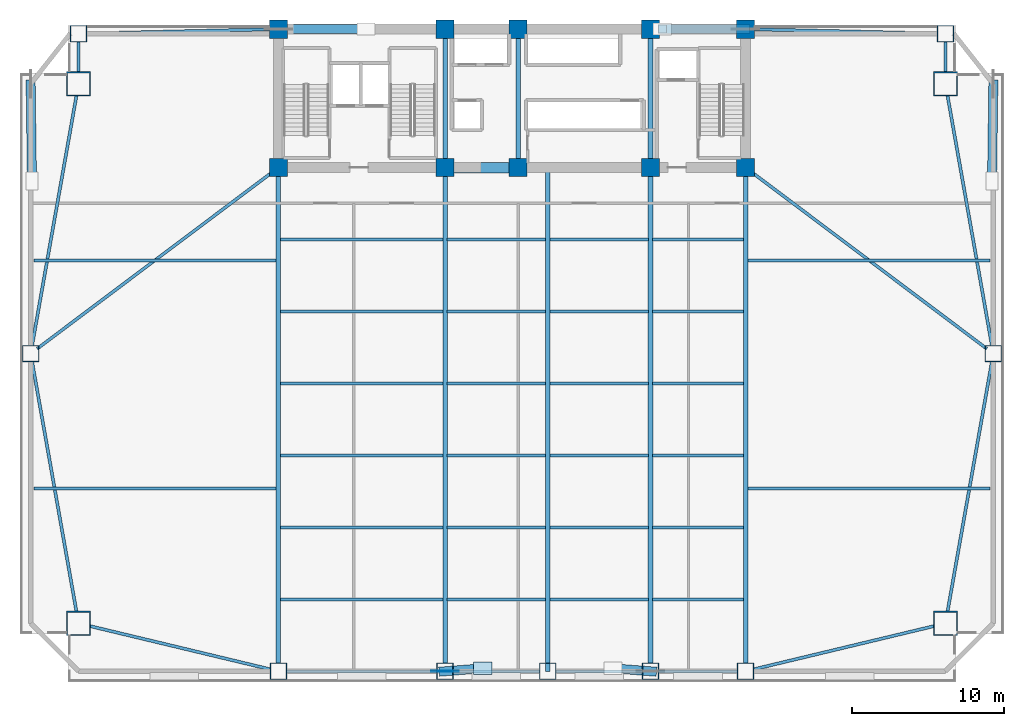
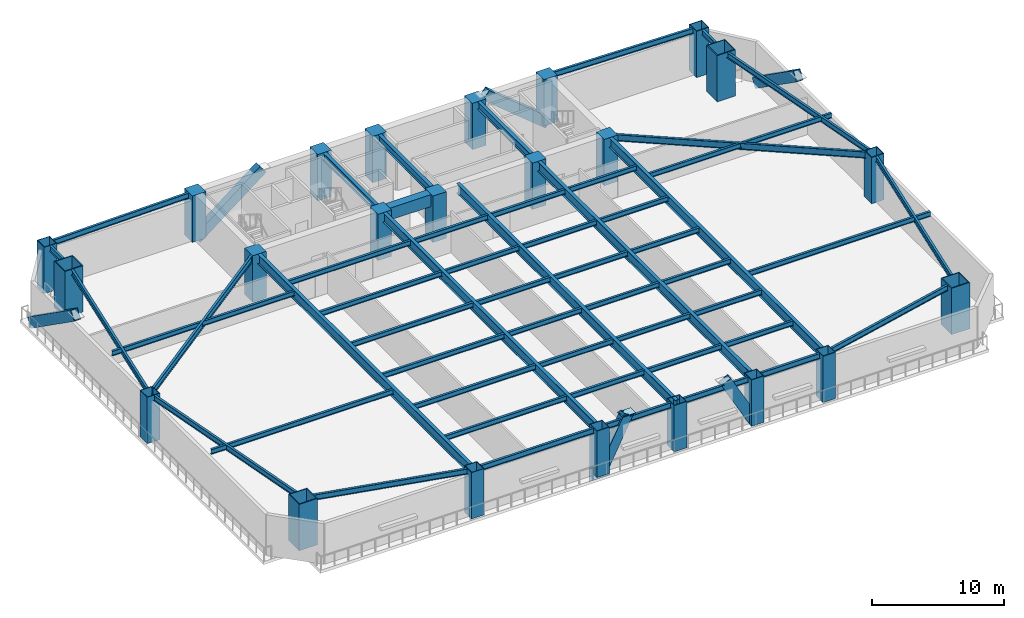
# One storey, part 1 of 9: 53 beams, 23 columns, 6 members, 2 plates.
"""IFC4 building model written with IfcOpenShell, lengths in metres."""

from ifc_helpers import new_model, si_unit, direction, frame, origin, origin_2d, place, context, subcontext, project, spatial, rectangle, hollow_rectangle, i_section, extrude, source, transform, mapped, material, material_profile, profile_set, type_object, element, save


model = new_model("IFC4")

# Units and contexts
model_context = context("Model", 3, precision=1e-05, world=origin(), true_north=direction((0.0, 1.0)))
body_context = subcontext(model_context, "Body", "Model", "MODEL_VIEW")
ifc_project = project(units=[si_unit("LENGTHUNIT", "METRE"), si_unit("AREAUNIT", "SQUARE_METRE"), si_unit("VOLUMEUNIT", "CUBIC_METRE"), si_unit("PLANEANGLEUNIT", "RADIAN"), si_unit("MASSUNIT", "GRAM", prefix="KILO")], contexts=[model_context])

# Site, building, storey
site_placement = place(None, origin())
site = spatial("IfcSite", under=ifc_project, at=site_placement, CompositionType="ELEMENT")
building_placement = place(site_placement, origin())
building = spatial("IfcBuilding", under=site, at=building_placement, Name="Giltprow Tower", CompositionType="ELEMENT")
storey_placement = place(building_placement, frame((0.0, 0.0, 48.800048828125)))
storey = spatial("IfcBuildingStorey", under=building, at=storey_placement, Name="L12", CompositionType="ELEMENT", Elevation=48.800048828125)

# Columns
ifc_material_1 = material(Name="Concrete C60", Category="concrete")
ifc_material_profile_1 = material_profile(ifc_material_1, rectangle(XDim=1.199951171875, YDim=1.199951171875, at=origin_2d()), Name="RC 1200x1200")
ifc_profile_set_1 = profile_set([ifc_material_profile_1], Name="Concrete C60")
column_type_1 = type_object("IfcColumnType", Name="PIL-RC-1200-C60", PredefinedType="PILASTER", material=ifc_profile_set_1)
shared_shape_1 = source(origin(), body_context, "Body", "SweptSolid", [
    extrude(rectangle(XDim=1.199951171875, YDim=1.199951171875, at=origin_2d()), origin(), (0.0, 0.0, 1.0), 4.280029296875),
])
for number, where, z_axis, x_axis, name in (
    (1, (19.85009765625, 37.449951171875, 0.0), (0.0, 0.0, 1.0), (1.0, 0.0, 0.0), "L12 Core Boundary Pilaster 1-1"),
    (2, (19.85009765625, 46.550048828125, 0.0), (0.0, 0.0, 1.0), (1.0, 0.0, 0.0), "L12 Core Boundary Pilaster 1-2"),
    (3, (30.800048828125, 37.449951171875, 0.0), (0.0, 0.0, 1.0), (1.0, 0.0, 0.0), "L12 Core Boundary Pilaster 2-1"),
    (4, (30.800048828125, 46.550048828125, 0.0), (0.0, 0.0, 1.0), (1.0, 0.0, 0.0), "L12 Core Boundary Pilaster 2-2"),
    (5, (35.60009765625, 37.449951171875, 0.0), (0.0, 0.0, 1.0), (1.0, 0.0, 0.0), "L12 Core Boundary Pilaster 3-1"),
    (6, (35.60009765625, 46.550048828125, 0.0), (0.0, 0.0, 1.0), (1.0, 0.0, 0.0), "L12 Core Boundary Pilaster 3-2"),
    (7, (44.300048828125, 37.449951171875, 0.0), (0.0, 0.0, 1.0), (1.0, 0.0, 0.0), "L12 Core Boundary Pilaster 4-1"),
    (8, (44.300048828125, 46.550048828125, 0.0), (0.0, 0.0, 1.0), (1.0, 0.0, 0.0), "L12 Core Boundary Pilaster 4-2"),
    (9, (50.550048828125, 37.449951171875, 0.0), (0.0, 0.0, 1.0), (1.0, 0.0, 0.0), "L12 Core Boundary Pilaster 5-1"),
    (10, (50.550048828125, 46.550048828125, 0.0), (0.0, 0.0, 1.0), (1.0, 0.0, 0.0), "L12 Core Boundary Pilaster 5-2"),
):
    element("IfcColumn", number, at=place(storey_placement, frame(where, z_axis=z_axis, x_axis=x_axis)), inside=storey, type_object=column_type_1, Name=name, PredefinedType="PILASTER", context=body_context, shape_type="MappedRepresentation", body=[
        mapped(shared_shape_1, transform((0.0, 0.0, 0.0), x_axis=(1.0, 0.0, 0.0), y_axis=(0.0, 1.0, 0.0), z_axis=(0.0, 0.0, 1.0), scale=1.0)),
    ])
ifc_material_2 = material(Name="Structural steel Q420GJC", Category="steel")
ifc_material_profile_2 = material_profile(ifc_material_2, hollow_rectangle(XDim=1.60009765625, YDim=1.60009765625, WallThickness=0.074951171875, at=origin_2d()), Name="BOX 1600x1600x75")
ifc_profile_set_2 = profile_set([ifc_material_profile_2], Name="Structural steel Q420GJC")
column_type_2 = type_object("IfcColumnType", Name="COL-BOX-1600x1600x75", PredefinedType="COLUMN", material=ifc_profile_set_2)
shared_shape_2 = source(origin(), body_context, "Body", "SweptSolid", [
    extrude(hollow_rectangle(XDim=1.60009765625, YDim=1.60009765625, WallThickness=0.074951171875, at=origin_2d()), origin(), (0.0, 0.0, 1.0), 4.280029296875),
])
for number, where, z_axis, x_axis, name in (
    (11, (6.718017578125, 7.501953125, 0.0), (0.0, 0.0, 1.0), (1.0, 0.0, 0.0), "L12 Mega-Column MC_SW"),
    (12, (63.681884765625, 7.501953125, 0.0), (0.0, 0.0, 1.0), (1.0, 0.0, 0.0), "L12 Mega-Column MC_SE"),
    (13, (6.718017578125, 42.951904296875, 0.0), (0.0, 0.0, 1.0), (1.0, 0.0, 0.0), "L12 Mega-Column MC_NW"),
    (14, (63.681884765625, 42.951904296875, 0.0), (0.0, 0.0, 1.0), (1.0, 0.0, 0.0), "L12 Mega-Column MC_NE"),
):
    element("IfcColumn", number, at=place(storey_placement, frame(where, z_axis=z_axis, x_axis=x_axis)), inside=storey, type_object=column_type_2, Name=name, PredefinedType="COLUMN", context=body_context, shape_type="MappedRepresentation", body=[
        mapped(shared_shape_2, transform((0.0, 0.0, 0.0), x_axis=(1.0, 0.0, 0.0), y_axis=(0.0, 1.0, 0.0), z_axis=(0.0, 0.0, 1.0), scale=1.0)),
    ])
ifc_material_profile_3 = material_profile(ifc_material_2, hollow_rectangle(XDim=1.10009765625, YDim=1.10009765625, WallThickness=0.050048828125, at=origin_2d()), Name="BOX 1100x1100x50")
ifc_profile_set_3 = profile_set([ifc_material_profile_3], Name="Structural steel Q420GJC")
column_type_3 = type_object("IfcColumnType", Name="COL-BOX-1100x1100x50", PredefinedType="COLUMN", material=ifc_profile_set_3)
shared_shape_3 = source(origin(), body_context, "Body", "SweptSolid", [
    extrude(hollow_rectangle(XDim=1.10009765625, YDim=1.10009765625, WallThickness=0.050048828125, at=origin_2d()), origin(), (0.0, 0.0, 1.0), 4.280029296875),
])
for number, where, z_axis, x_axis, name in (
    (15, (19.85009765625, 4.35400390625, 0.0), (0.0, 0.0, 1.0), (1.0, 0.0, 0.0), "L12 Perimeter Column S1"),
    (16, (30.800048828125, 4.35400390625, 0.0), (0.0, 0.0, 1.0), (1.0, 0.0, 0.0), "L12 Perimeter Column S2"),
    (17, (37.550048828125, 4.35400390625, 0.0), (0.0, 0.0, 1.0), (1.0, 0.0, 0.0), "L12 Perimeter Column S_MID"),
    (18, (44.300048828125, 4.35400390625, 0.0), (0.0, 0.0, 1.0), (1.0, 0.0, 0.0), "L12 Perimeter Column S3"),
    (19, (50.550048828125, 4.35400390625, 0.0), (0.0, 0.0, 1.0), (1.0, 0.0, 0.0), "L12 Perimeter Column S4"),
    (20, (3.570068359375, 25.22705078125, 0.0), (0.0, 0.0, 1.0), (1.0, 0.0, 0.0), "L12 Perimeter Column W_MID"),
    (21, (66.830078125, 25.22705078125, 0.0), (0.0, 0.0, 1.0), (1.0, 0.0, 0.0), "L12 Perimeter Column E_MID"),
    (22, (6.718017578125, 46.25, 0.0), (0.0, 0.0, 1.0), (1.0, 0.0, 0.0), "L12 Perimeter Column N_W"),
    (23, (63.681884765625, 46.25, 0.0), (0.0, 0.0, 1.0), (1.0, 0.0, 0.0), "L12 Perimeter Column N_E"),
):
    element("IfcColumn", number, at=place(storey_placement, frame(where, z_axis=z_axis, x_axis=x_axis)), inside=storey, type_object=column_type_3, Name=name, PredefinedType="COLUMN", context=body_context, shape_type="MappedRepresentation", body=[
        mapped(shared_shape_3, transform((0.0, 0.0, 0.0), x_axis=(1.0, 0.0, 0.0), y_axis=(0.0, 1.0, 0.0), z_axis=(0.0, 0.0, 1.0), scale=1.0)),
    ])

# Beams
ifc_material_profile_4 = material_profile(ifc_material_1, rectangle(XDim=0.699951171875, YDim=1.10009765625, at=origin_2d()), Name="RC 1100x700")
ifc_profile_set_4 = profile_set([ifc_material_profile_4], Name="Concrete C60")
beam_type_1 = type_object("IfcBeamType", Name="BM-CPL-RC1100", PredefinedType="LINTEL", material=ifc_profile_set_4)
shared_shape_4 = source(origin(), body_context, "Body", "SweptSolid", [
    extrude(rectangle(XDim=0.699951171875, YDim=1.10009765625, at=origin_2d()), origin(), (0.0, 0.0, 1.0), 3.6298828125),
])
beam_1_placement = place(storey_placement, frame((31.385009765625, 37.449951171875, 3.72998046875), z_axis=(1.0, 0.0, 0.0), x_axis=(0.0, 1.0, 0.0)))
element("IfcBeam", 24, at=beam_1_placement, inside=storey, type_object=beam_type_1, Name="L12 Core Coupling Beam CB-1", PredefinedType="LINTEL", context=body_context, shape_type="MappedRepresentation", body=[
    mapped(shared_shape_4, transform((0.0, 0.0, 0.0), x_axis=(1.0, 0.0, 0.0), y_axis=(0.0, 1.0, 0.0), z_axis=(0.0, 0.0, 1.0), scale=1.0)),
])
ifc_material_3 = material(Name="Structural steel Q355B", Category="steel")
ifc_material_profile_5 = material_profile(ifc_material_3, i_section(OverallWidth=0.300048828125, OverallDepth=0.699951171875, WebThickness=0.012939453125, FlangeThickness=0.02392578125, at=origin_2d()), Name="HN 700x300x13x24")
ifc_profile_set_5 = profile_set([ifc_material_profile_5], Name="Structural steel Q355B")
beam_type_2 = type_object("IfcBeamType", Name="BM-GIRD-HN700", PredefinedType="BEAM", material=ifc_profile_set_5)
shared_shape_5 = source(origin(), body_context, "Body", "SweptSolid", [
    extrude(i_section(OverallWidth=0.300048828125, OverallDepth=0.699951171875, WebThickness=0.012939453125, FlangeThickness=0.02392578125, at=origin_2d()), origin(), (0.0, 0.0, 1.0), 7.93017578125),
])
for number, where, z_axis, x_axis, name in (
    (25, (30.800048828125, 38.034912109375, 3.929931640625), (0.0, 1.0, 0.0), (-1.0, 0.0, 0.0), "L12 Core Tie Girder M1"),
    (26, (35.60009765625, 38.034912109375, 3.929931640625), (0.0, 1.0, 0.0), (-1.0, 0.0, 0.0), "L12 Core Tie Girder M2"),
    (27, (44.300048828125, 38.034912109375, 3.929931640625), (0.0, 1.0, 0.0), (-1.0, 0.0, 0.0), "L12 Core Tie Girder M3"),
):
    element("IfcBeam", number, at=place(storey_placement, frame(where, z_axis=z_axis, x_axis=x_axis)), inside=storey, type_object=beam_type_2, Name=name, PredefinedType="BEAM", context=body_context, shape_type="MappedRepresentation", body=[
        mapped(shared_shape_5, transform((0.0, 0.0, 0.0), x_axis=(1.0, 0.0, 0.0), y_axis=(0.0, 1.0, 0.0), z_axis=(0.0, 0.0, 1.0), scale=1.0)),
    ])
ifc_material_profile_6 = material_profile(ifc_material_3, i_section(OverallWidth=0.199951171875, OverallDepth=0.5, WebThickness=0.010009765625, FlangeThickness=0.01611328125, at=origin_2d()), Name="HN 500x200x10x16")
ifc_profile_set_6 = profile_set([ifc_material_profile_6], Name="Structural steel Q355B")
beam_type_3 = type_object("IfcBeamType", Name="BM-SPAN-HN500", PredefinedType="SPANDREL", material=ifc_profile_set_6)
shared_shape_6 = source(origin(), body_context, "Body", "SweptSolid", [
    extrude(i_section(OverallWidth=0.199951171875, OverallDepth=0.5, WebThickness=0.010009765625, FlangeThickness=0.01611328125, at=origin_2d()), origin(), (0.0, 0.0, 1.0), 9.8798828125),
])
beam_2_placement = place(storey_placement, frame((20.385009765625, 4.35400390625, 4.030029296875), z_axis=(1.0, 0.0, 0.0), x_axis=(0.0, 1.0, 0.0)))
element("IfcBeam", 28, at=beam_2_placement, inside=storey, type_object=beam_type_3, Name="L12 Perimeter Spandrel Beam S1-S2", PredefinedType="SPANDREL", context=body_context, shape_type="MappedRepresentation", body=[
    mapped(shared_shape_6, transform((0.0, 0.0, 0.0), x_axis=(1.0, 0.0, 0.0), y_axis=(0.0, 1.0, 0.0), z_axis=(0.0, 0.0, 1.0), scale=1.0)),
])
shared_shape_7 = source(origin(), body_context, "Body", "SweptSolid", [
    extrude(i_section(OverallWidth=0.199951171875, OverallDepth=0.5, WebThickness=0.010009765625, FlangeThickness=0.01611328125, at=origin_2d()), origin(), (0.0, 0.0, 1.0), 5.679931640625),
])
for number, where, z_axis, x_axis, name in (
    (29, (31.3349609375, 4.35400390625, 4.030029296875), (1.0, 0.0, 0.0), (0.0, 1.0, 0.0), "L12 Perimeter Spandrel Beam S2-S_MID"),
    (30, (38.0849609375, 4.35400390625, 4.030029296875), (1.0, 0.0, 0.0), (0.0, 1.0, 0.0), "L12 Perimeter Spandrel Beam S_MID-S3"),
):
    element("IfcBeam", number, at=place(storey_placement, frame(where, z_axis=z_axis, x_axis=x_axis)), inside=storey, type_object=beam_type_3, Name=name, PredefinedType="SPANDREL", context=body_context, shape_type="MappedRepresentation", body=[
        mapped(shared_shape_7, transform((0.0, 0.0, 0.0), x_axis=(1.0, 0.0, 0.0), y_axis=(0.0, 1.0, 0.0), z_axis=(0.0, 0.0, 1.0), scale=1.0)),
    ])
shared_shape_8 = source(origin(), body_context, "Body", "SweptSolid", [
    extrude(i_section(OverallWidth=0.199951171875, OverallDepth=0.5, WebThickness=0.010009765625, FlangeThickness=0.01611328125, at=origin_2d()), origin(), (0.0, 0.0, 1.0), 5.179931640625),
])
beam_3_placement = place(storey_placement, frame((44.8349609375, 4.35400390625, 4.030029296875), z_axis=(1.0, 0.0, 0.0), x_axis=(0.0, 1.0, 0.0)))
element("IfcBeam", 31, at=beam_3_placement, inside=storey, type_object=beam_type_3, Name="L12 Perimeter Spandrel Beam S3-S4", PredefinedType="SPANDREL", context=body_context, shape_type="MappedRepresentation", body=[
    mapped(shared_shape_8, transform((0.0, 0.0, 0.0), x_axis=(1.0, 0.0, 0.0), y_axis=(0.0, 1.0, 0.0), z_axis=(0.0, 0.0, 1.0), scale=1.0)),
])
ifc_material_profile_7 = material_profile(ifc_material_3, i_section(OverallWidth=0.199951171875, OverallDepth=0.449951171875, WebThickness=0.009033203125, FlangeThickness=0.013916015625, at=origin_2d()), Name="HN 450x200x9x14")
ifc_profile_set_7 = profile_set([ifc_material_profile_7], Name="Structural steel Q355B")
beam_type_4 = type_object("IfcBeamType", Name="BM-JOIST-HN450", PredefinedType="JOIST", material=ifc_profile_set_7)
shared_shape_9 = source(origin(), body_context, "Body", "SweptSolid", [
    extrude(i_section(OverallWidth=0.199951171875, OverallDepth=0.449951171875, WebThickness=0.009033203125, FlangeThickness=0.013916015625, at=origin_2d()), origin(), (0.0, 0.0, 1.0), 10.659912109375),
])
for number, where, z_axis, x_axis, name in (
    (32, (19.9951171875, 9.08203125, 4.054931640625), (1.0, 0.0, 0.0), (0.0, 1.0, 0.0), "L12 Composite Floor Joist 1-1"),
    (33, (19.9951171875, 13.81005859375, 4.054931640625), (1.0, 0.0, 0.0), (0.0, 1.0, 0.0), "L12 Composite Floor Joist 2-1"),
    (34, (19.9951171875, 18.5380859375, 4.054931640625), (1.0, 0.0, 0.0), (0.0, 1.0, 0.0), "L12 Composite Floor Joist 3-1"),
    (35, (19.9951171875, 23.26611328125, 4.054931640625), (1.0, 0.0, 0.0), (0.0, 1.0, 0.0), "L12 Composite Floor Joist 4-1"),
    (36, (19.9951171875, 27.993896484375, 4.054931640625), (1.0, 0.0, 0.0), (0.0, 1.0, 0.0), "L12 Composite Floor Joist 5-1"),
    (37, (19.9951171875, 32.721923828125, 4.054931640625), (1.0, 0.0, 0.0), (0.0, 1.0, 0.0), "L12 Composite Floor Joist 6-1"),
):
    element("IfcBeam", number, at=place(storey_placement, frame(where, z_axis=z_axis, x_axis=x_axis)), inside=storey, type_object=beam_type_4, Name=name, PredefinedType="JOIST", context=body_context, shape_type="MappedRepresentation", body=[
        mapped(shared_shape_9, transform((0.0, 0.0, 0.0), x_axis=(1.0, 0.0, 0.0), y_axis=(0.0, 1.0, 0.0), z_axis=(0.0, 0.0, 1.0), scale=1.0)),
    ])
shared_shape_10 = source(origin(), body_context, "Body", "SweptSolid", [
    extrude(i_section(OverallWidth=0.199951171875, OverallDepth=0.449951171875, WebThickness=0.009033203125, FlangeThickness=0.013916015625, at=origin_2d()), origin(), (0.0, 0.0, 1.0), 6.4599609375),
])
for number, where, z_axis, x_axis, name in (
    (38, (30.945068359375, 9.08203125, 4.054931640625), (1.0, 0.0, 0.0), (0.0, 1.0, 0.0), "L12 Composite Floor Joist 1-2"),
    (39, (37.695068359375, 9.08203125, 4.054931640625), (1.0, 0.0, 0.0), (0.0, 1.0, 0.0), "L12 Composite Floor Joist 1-3"),
    (40, (30.945068359375, 13.81005859375, 4.054931640625), (1.0, 0.0, 0.0), (0.0, 1.0, 0.0), "L12 Composite Floor Joist 2-2"),
    (41, (37.695068359375, 13.81005859375, 4.054931640625), (1.0, 0.0, 0.0), (0.0, 1.0, 0.0), "L12 Composite Floor Joist 2-3"),
    (42, (30.945068359375, 18.5380859375, 4.054931640625), (1.0, 0.0, 0.0), (0.0, 1.0, 0.0), "L12 Composite Floor Joist 3-2"),
    (43, (37.695068359375, 18.5380859375, 4.054931640625), (1.0, 0.0, 0.0), (0.0, 1.0, 0.0), "L12 Composite Floor Joist 3-3"),
    (44, (30.945068359375, 23.26611328125, 4.054931640625), (1.0, 0.0, 0.0), (0.0, 1.0, 0.0), "L12 Composite Floor Joist 4-2"),
    (45, (37.695068359375, 23.26611328125, 4.054931640625), (1.0, 0.0, 0.0), (0.0, 1.0, 0.0), "L12 Composite Floor Joist 4-3"),
    (46, (30.945068359375, 27.993896484375, 4.054931640625), (1.0, 0.0, 0.0), (0.0, 1.0, 0.0), "L12 Composite Floor Joist 5-2"),
    (47, (37.695068359375, 27.993896484375, 4.054931640625), (1.0, 0.0, 0.0), (0.0, 1.0, 0.0), "L12 Composite Floor Joist 5-3"),
    (48, (30.945068359375, 32.721923828125, 4.054931640625), (1.0, 0.0, 0.0), (0.0, 1.0, 0.0), "L12 Composite Floor Joist 6-2"),
    (49, (37.695068359375, 32.721923828125, 4.054931640625), (1.0, 0.0, 0.0), (0.0, 1.0, 0.0), "L12 Composite Floor Joist 6-3"),
):
    element("IfcBeam", number, at=place(storey_placement, frame(where, z_axis=z_axis, x_axis=x_axis)), inside=storey, type_object=beam_type_4, Name=name, PredefinedType="JOIST", context=body_context, shape_type="MappedRepresentation", body=[
        mapped(shared_shape_10, transform((0.0, 0.0, 0.0), x_axis=(1.0, 0.0, 0.0), y_axis=(0.0, 1.0, 0.0), z_axis=(0.0, 0.0, 1.0), scale=1.0)),
    ])
shared_shape_11 = source(origin(), body_context, "Body", "SweptSolid", [
    extrude(i_section(OverallWidth=0.199951171875, OverallDepth=0.449951171875, WebThickness=0.009033203125, FlangeThickness=0.013916015625, at=origin_2d()), origin(), (0.0, 0.0, 1.0), 5.9599609375),
])
for number, where, z_axis, x_axis, name in (
    (50, (44.445068359375, 9.08203125, 4.054931640625), (1.0, 0.0, 0.0), (0.0, 1.0, 0.0), "L12 Composite Floor Joist 1-4"),
    (51, (44.445068359375, 13.81005859375, 4.054931640625), (1.0, 0.0, 0.0), (0.0, 1.0, 0.0), "L12 Composite Floor Joist 2-4"),
    (52, (44.445068359375, 18.5380859375, 4.054931640625), (1.0, 0.0, 0.0), (0.0, 1.0, 0.0), "L12 Composite Floor Joist 3-4"),
    (53, (44.445068359375, 23.26611328125, 4.054931640625), (1.0, 0.0, 0.0), (0.0, 1.0, 0.0), "L12 Composite Floor Joist 4-4"),
    (54, (44.445068359375, 27.993896484375, 4.054931640625), (1.0, 0.0, 0.0), (0.0, 1.0, 0.0), "L12 Composite Floor Joist 5-4"),
    (55, (44.445068359375, 32.721923828125, 4.054931640625), (1.0, 0.0, 0.0), (0.0, 1.0, 0.0), "L12 Composite Floor Joist 6-4"),
):
    element("IfcBeam", number, at=place(storey_placement, frame(where, z_axis=z_axis, x_axis=x_axis)), inside=storey, type_object=beam_type_4, Name=name, PredefinedType="JOIST", context=body_context, shape_type="MappedRepresentation", body=[
        mapped(shared_shape_11, transform((0.0, 0.0, 0.0), x_axis=(1.0, 0.0, 0.0), y_axis=(0.0, 1.0, 0.0), z_axis=(0.0, 0.0, 1.0), scale=1.0)),
    ])
shared_shape_12 = source(origin(), body_context, "Body", "SweptSolid", [
    extrude(i_section(OverallWidth=0.199951171875, OverallDepth=0.5, WebThickness=0.010009765625, FlangeThickness=0.01611328125, at=origin_2d()), origin(), (0.0, 0.0, 1.0), 12.184814453125),
])
beam_4_placement = place(storey_placement, frame((7.48095703125, 7.319091796875, 4.030029296875), z_axis=(0.972456190307, -0.233085730866, 0.0), x_axis=(0.233085730866, 0.972456190307, 0.0)))
element("IfcBeam", 56, at=beam_4_placement, inside=storey, type_object=beam_type_3, Name="L12 Perimeter Spandrel Beam MC_SW-S1", PredefinedType="SPANDREL", context=body_context, shape_type="MappedRepresentation", body=[
    mapped(shared_shape_12, transform((0.0, 0.0, 0.0), x_axis=(1.0, 0.0, 0.0), y_axis=(0.0, 1.0, 0.0), z_axis=(0.0, 0.0, 1.0), scale=1.0)),
])
shared_shape_13 = source(origin(), body_context, "Body", "SweptSolid", [
    extrude(i_section(OverallWidth=0.199951171875, OverallDepth=0.5, WebThickness=0.010009765625, FlangeThickness=0.01611328125, at=origin_2d()), origin(), (0.0, 0.0, 1.0), 12.1845703125),
])
beam_5_placement = place(storey_placement, frame((51.070068359375, 4.47900390625, 4.030029296875), z_axis=(0.972455101708, 0.23309027256, 0.0), x_axis=(-0.23309027256, 0.972455101708, 0.0)))
element("IfcBeam", 57, at=beam_5_placement, inside=storey, type_object=beam_type_3, Name="L12 Perimeter Spandrel Beam S4-MC_SE", PredefinedType="SPANDREL", context=body_context, shape_type="MappedRepresentation", body=[
    mapped(shared_shape_13, transform((0.0, 0.0, 0.0), x_axis=(1.0, 0.0, 0.0), y_axis=(0.0, 1.0, 0.0), z_axis=(0.0, 0.0, 1.0), scale=1.0)),
])
shared_shape_14 = source(origin(), body_context, "Body", "SweptSolid", [
    extrude(i_section(OverallWidth=0.199951171875, OverallDepth=0.5, WebThickness=0.010009765625, FlangeThickness=0.01611328125, at=origin_2d()), origin(), (0.0, 0.0, 1.0), 16.68212890625),
])
for number, where, z_axis, x_axis, name in (
    (58, (63.819091796875, 8.27490234375, 4.030029296875), (0.174858049152, 0.984593653568, 0.0), (-0.984593653568, 0.174858049152, 0.0), "L12 Perimeter Spandrel Beam MC_SE-E_MID"),
    (59, (66.736083984375, 25.75390625, 4.030029296875), (-0.174858049152, 0.984593653568, 0.0), (-0.984593653568, -0.174858049152, 0.0), "L12 Perimeter Spandrel Beam E_MID-MC_NE"),
    (60, (6.5810546875, 42.178955078125, 4.030029296875), (-0.174858049152, -0.984593653568, 0.0), (0.984593653568, -0.174858049152, 0.0), "L12 Perimeter Spandrel Beam MC_NW-W_MID"),
    (61, (3.6640625, 24.699951171875, 4.030029296875), (0.174858049152, -0.984593653568, 0.0), (0.984593653568, 0.174858049152, 0.0), "L12 Perimeter Spandrel Beam W_MID-MC_SW"),
):
    element("IfcBeam", number, at=place(storey_placement, frame(where, z_axis=z_axis, x_axis=x_axis)), inside=storey, type_object=beam_type_3, Name=name, PredefinedType="SPANDREL", context=body_context, shape_type="MappedRepresentation", body=[
        mapped(shared_shape_14, transform((0.0, 0.0, 0.0), x_axis=(1.0, 0.0, 0.0), y_axis=(0.0, 1.0, 0.0), z_axis=(0.0, 0.0, 1.0), scale=1.0)),
    ])
shared_shape_15 = source(origin(), body_context, "Body", "SweptSolid", [
    extrude(i_section(OverallWidth=0.199951171875, OverallDepth=0.5, WebThickness=0.010009765625, FlangeThickness=0.01611328125, at=origin_2d()), origin(), (0.0, 0.0, 1.0), 1.97802734375),
])
for number, where, z_axis, x_axis, name in (
    (62, (63.681884765625, 43.737060546875, 4.030029296875), (0.0, 1.0, 0.0), (-1.0, 0.0, 0.0), "L12 Perimeter Spandrel Beam MC_NE-N_E"),
    (63, (6.718017578125, 45.715087890625, 4.030029296875), (0.0, -1.0, 0.0), (1.0, 0.0, 0.0), "L12 Perimeter Spandrel Beam N_W-MC_NW"),
):
    element("IfcBeam", number, at=place(storey_placement, frame(where, z_axis=z_axis, x_axis=x_axis)), inside=storey, type_object=beam_type_3, Name=name, PredefinedType="SPANDREL", context=body_context, shape_type="MappedRepresentation", body=[
        mapped(shared_shape_15, transform((0.0, 0.0, 0.0), x_axis=(1.0, 0.0, 0.0), y_axis=(0.0, 1.0, 0.0), z_axis=(0.0, 0.0, 1.0), scale=1.0)),
    ])
shared_shape_16 = source(origin(), body_context, "Body", "SweptSolid", [
    extrude(i_section(OverallWidth=0.199951171875, OverallDepth=0.5, WebThickness=0.010009765625, FlangeThickness=0.01611328125, at=origin_2d()), origin(), (0.0, 0.0, 1.0), 12.01513671875),
])
for number, where, z_axis, x_axis, name in (
    (64, (7.2529296875, 46.261962890625, 4.030029296875), (0.999737759891, 0.022900031613, 0.0), (-0.022900031613, 0.999737759891, 0.0), "L12 North Wing Spandrel W"),
    (65, (51.135009765625, 46.537109375, 4.030029296875), (0.999737759891, -0.022900031613, 0.0), (0.022900031613, 0.999737759891, 0.0), "L12 North Wing Spandrel E"),
):
    element("IfcBeam", number, at=place(storey_placement, frame(where, z_axis=z_axis, x_axis=x_axis)), inside=storey, type_object=beam_type_3, Name=name, PredefinedType="SPANDREL", context=body_context, shape_type="MappedRepresentation", body=[
        mapped(shared_shape_16, transform((0.0, 0.0, 0.0), x_axis=(1.0, 0.0, 0.0), y_axis=(0.0, 1.0, 0.0), z_axis=(0.0, 0.0, 1.0), scale=1.0)),
    ])
ifc_material_profile_8 = material_profile(ifc_material_3, i_section(OverallWidth=0.300048828125, OverallDepth=0.89990234375, WebThickness=0.01611328125, FlangeThickness=0.028076171875, at=origin_2d()), Name="HN 900x300x16x28")
ifc_profile_set_8 = profile_set([ifc_material_profile_8], Name="Structural steel Q355B")
beam_type_5 = type_object("IfcBeamType", Name="BM-GIRD-HN900", PredefinedType="BEAM", material=ifc_profile_set_8)
shared_shape_17 = source(origin(), body_context, "Body", "SweptSolid", [
    extrude(i_section(OverallWidth=0.300048828125, OverallDepth=0.89990234375, WebThickness=0.01611328125, FlangeThickness=0.028076171875, at=origin_2d()), origin(), (0.0, 0.0, 1.0), 31.97607421875),
])
for number, where, z_axis, x_axis, name in (
    (66, (19.85009765625, 4.888916015625, 3.829833984375), (0.0, 1.0, 0.0), (-1.0, 0.0, 0.0), "L12 Primary Lease Girder S1"),
    (67, (30.800048828125, 4.888916015625, 3.829833984375), (0.0, 1.0, 0.0), (-1.0, 0.0, 0.0), "L12 Primary Lease Girder S2"),
    (68, (44.300048828125, 4.888916015625, 3.829833984375), (0.0, 1.0, 0.0), (-1.0, 0.0, 0.0), "L12 Primary Lease Girder S3"),
    (69, (50.550048828125, 4.888916015625, 3.829833984375), (0.0, 1.0, 0.0), (-1.0, 0.0, 0.0), "L12 Primary Lease Girder S4"),
):
    element("IfcBeam", number, at=place(storey_placement, frame(where, z_axis=z_axis, x_axis=x_axis)), inside=storey, type_object=beam_type_5, Name=name, PredefinedType="BEAM", context=body_context, shape_type="MappedRepresentation", body=[
        mapped(shared_shape_17, transform((0.0, 0.0, 0.0), x_axis=(1.0, 0.0, 0.0), y_axis=(0.0, 1.0, 0.0), z_axis=(0.0, 0.0, 1.0), scale=1.0)),
    ])
shared_shape_18 = source(origin(), body_context, "Body", "SweptSolid", [
    extrude(i_section(OverallWidth=0.300048828125, OverallDepth=0.89990234375, WebThickness=0.01611328125, FlangeThickness=0.028076171875, at=origin_2d()), origin(), (0.0, 0.0, 1.0), 33.095947265625),
])
beam_6_placement = place(storey_placement, frame((37.550048828125, 4.35400390625, 3.829833984375), z_axis=(0.0, 1.0, 0.0), x_axis=(-1.0, 0.0, 0.0)))
element("IfcBeam", 70, at=beam_6_placement, inside=storey, type_object=beam_type_5, Name="L12 Central Lease Girder SMID", PredefinedType="BEAM", context=body_context, shape_type="MappedRepresentation", body=[
    mapped(shared_shape_18, transform((0.0, 0.0, 0.0), x_axis=(1.0, 0.0, 0.0), y_axis=(0.0, 1.0, 0.0), z_axis=(0.0, 0.0, 1.0), scale=1.0)),
])
ifc_material_profile_9 = material_profile(ifc_material_3, i_section(OverallWidth=0.199951171875, OverallDepth=0.60009765625, WebThickness=0.010986328125, FlangeThickness=0.01708984375, at=origin_2d()), Name="HN 600x200x11x17")
ifc_profile_set_9 = profile_set([ifc_material_profile_9], Name="Structural steel Q355B")
beam_type_6 = type_object("IfcBeamType", Name="BM-GIRD-HN600", PredefinedType="BEAM", material=ifc_profile_set_9)
shared_shape_19 = source(origin(), body_context, "Body", "SweptSolid", [
    extrude(i_section(OverallWidth=0.199951171875, OverallDepth=0.60009765625, WebThickness=0.010986328125, FlangeThickness=0.01708984375, at=origin_2d()), origin(), (0.0, 0.0, 1.0), 19.23779296875),
])
for number, where, z_axis, x_axis, name in (
    (71, (3.998046875, 25.548095703125, 3.97998046875), (0.799675510247, 0.600432409444, 0.0), (-0.600432409444, 0.799675510247, 0.0), "L12 West Wing Primary Girder"),
    (72, (66.402099609375, 25.548095703125, 3.97998046875), (-0.799675510247, 0.600432409444, 0.0), (-0.600432409444, -0.799675510247, 0.0), "L12 East Wing Primary Girder"),
):
    element("IfcBeam", number, at=place(storey_placement, frame(where, z_axis=z_axis, x_axis=x_axis)), inside=storey, type_object=beam_type_6, Name=name, PredefinedType="BEAM", context=body_context, shape_type="MappedRepresentation", body=[
        mapped(shared_shape_19, transform((0.0, 0.0, 0.0), x_axis=(1.0, 0.0, 0.0), y_axis=(0.0, 1.0, 0.0), z_axis=(0.0, 0.0, 1.0), scale=1.0)),
    ])
shared_shape_20 = source(origin(), body_context, "Body", "SweptSolid", [
    extrude(i_section(OverallWidth=0.199951171875, OverallDepth=0.449951171875, WebThickness=0.009033203125, FlangeThickness=0.013916015625, at=origin_2d()), origin(), (0.0, 0.0, 1.0), 15.9150390625),
])
for number, where, z_axis, x_axis, name in (
    (73, (3.7900390625, 16.364013671875, 4.054931640625), (1.0, 0.0, 0.0), (0.0, 1.0, 0.0), "L12 West Wing Floor Joist 1"),
    (74, (50.695068359375, 16.364013671875, 4.054931640625), (1.0, 0.0, 0.0), (0.0, 1.0, 0.0), "L12 East Wing Floor Joist 1"),
    (75, (3.7900390625, 31.339111328125, 4.054931640625), (1.0, 0.0, 0.0), (0.0, 1.0, 0.0), "L12 West Wing Floor Joist 2"),
    (76, (50.695068359375, 31.339111328125, 4.054931640625), (1.0, 0.0, 0.0), (0.0, 1.0, 0.0), "L12 East Wing Floor Joist 2"),
):
    element("IfcBeam", number, at=place(storey_placement, frame(where, z_axis=z_axis, x_axis=x_axis)), inside=storey, type_object=beam_type_4, Name=name, PredefinedType="JOIST", context=body_context, shape_type="MappedRepresentation", body=[
        mapped(shared_shape_20, transform((0.0, 0.0, 0.0), x_axis=(1.0, 0.0, 0.0), y_axis=(0.0, 1.0, 0.0), z_axis=(0.0, 0.0, 1.0), scale=1.0)),
    ])

# Members
ifc_material_profile_10 = material_profile(ifc_material_2, hollow_rectangle(XDim=0.60009765625, YDim=0.89990234375, WallThickness=0.0400390625, at=origin_2d()), Name="RHS 900x600x40")
ifc_profile_set_10 = profile_set([ifc_material_profile_10], Name="Structural steel Q420GJC")
member_type = type_object("IfcMemberType", Name="MBR-MEGA-RHS900", PredefinedType="BRACE", material=ifc_profile_set_10)
shared_shape_21 = source(origin(), body_context, "Body", "SweptSolid", [
    extrude(hollow_rectangle(XDim=0.60009765625, YDim=0.89990234375, WallThickness=0.0400390625, at=origin_2d()), origin(), (0.0, 0.0, 1.0), 5.136962890625),
])
for number, where, z_axis, x_axis, name in (
    (77, (30.800048828125, 4.35400390625, 0.0), (0.480826243026, 0.037593511736, 0.876009618608), (-0.077947352381, 0.996957476654, 0.0), "L12 Chevron Mega-Brace S-L"),
    (78, (44.300048828125, 4.35400390625, 0.0), (-0.480826243026, 0.037593511736, 0.876009618608), (-0.077947352381, -0.996957476654, 0.0), "L12 Chevron Mega-Brace S-R"),
):
    element("IfcMember", number, at=place(storey_placement, frame(where, z_axis=z_axis, x_axis=x_axis)), inside=storey, type_object=member_type, Name=name, PredefinedType="BRACE", context=body_context, shape_type="MappedRepresentation", body=[
        mapped(shared_shape_21, transform((0.0, 0.0, 0.0), x_axis=(1.0, 0.0, 0.0), y_axis=(0.0, 1.0, 0.0), z_axis=(0.0, 0.0, 1.0), scale=1.0)),
    ])
shared_shape_22 = source(origin(), body_context, "Body", "SweptSolid", [
    extrude(hollow_rectangle(XDim=0.60009765625, YDim=0.89990234375, WallThickness=0.0400390625, at=origin_2d()), origin(), (0.0, 0.0, 1.0), 7.31103515625),
])
member_1_placement = place(storey_placement, frame((19.85009765625, 46.550048828125, -0.14013671875), z_axis=(0.78812612381, 0.0, 0.615513779673), x_axis=(0.0, 1.0, 0.0)))
element("IfcMember", 79, at=member_1_placement, inside=storey, type_object=member_type, Name="L12 Chevron Mega-Brace N-L", PredefinedType="BRACE", context=body_context, shape_type="MappedRepresentation", body=[
    mapped(shared_shape_22, transform((0.0, 0.0, 0.0), x_axis=(1.0, 0.0, 0.0), y_axis=(0.0, 1.0, 0.0), z_axis=(0.0, 0.0, 1.0), scale=1.0)),
])
shared_shape_23 = source(origin(), body_context, "Body", "SweptSolid", [
    extrude(hollow_rectangle(XDim=0.60009765625, YDim=0.89990234375, WallThickness=0.0400390625, at=origin_2d()), origin(), (0.0, 0.0, 1.0), 7.0830078125),
])
member_2_placement = place(storey_placement, frame((50.550048828125, 46.550048828125, -0.14013671875), z_axis=(-0.772254489238, 0.0, 0.635313311566), x_axis=(0.0, -1.0, 0.0)))
element("IfcMember", 80, at=member_2_placement, inside=storey, type_object=member_type, Name="L12 Chevron Mega-Brace N-R", PredefinedType="BRACE", context=body_context, shape_type="MappedRepresentation", body=[
    mapped(shared_shape_23, transform((0.0, 0.0, 0.0), x_axis=(1.0, 0.0, 0.0), y_axis=(0.0, 1.0, 0.0), z_axis=(0.0, 0.0, 1.0), scale=1.0)),
])
shared_shape_24 = source(origin(), body_context, "Body", "SweptSolid", [
    extrude(hollow_rectangle(XDim=0.60009765625, YDim=0.89990234375, WallThickness=0.0400390625, at=origin_2d()), origin(), (0.0, 0.0, 1.0), 7.814208984375),
])
for number, where, z_axis, x_axis, name in (
    (81, (3.570068359375, 42.951904296875, 0.0), (0.01099747778, -0.817468767395, 0.575867927408), (0.999909519518, 0.013451868942, 0.0), "L12 Chevron Mega-Brace W-R"),
    (82, (66.830078125, 42.951904296875, 0.0), (-0.01102871682, -0.81746848612, 0.575867729263), (0.999909004764, -0.013490077534, 0.0), "L12 Chevron Mega-Brace E-R"),
):
    element("IfcMember", number, at=place(storey_placement, frame(where, z_axis=z_axis, x_axis=x_axis)), inside=storey, type_object=member_type, Name=name, PredefinedType="BRACE", context=body_context, shape_type="MappedRepresentation", body=[
        mapped(shared_shape_24, transform((0.0, 0.0, 0.0), x_axis=(1.0, 0.0, 0.0), y_axis=(0.0, 1.0, 0.0), z_axis=(0.0, 0.0, 1.0), scale=1.0)),
    ])

# Plates
plate_type_1 = type_object("IfcPlateType", Name="PLT-NODE-MBN1", PredefinedType="USERDEFINED", material=ifc_material_2)
shared_shape_25 = source(origin(), body_context, "Body", "SweptSolid", [
    extrude(rectangle(XDim=1.800048828125, YDim=0.050048828125, at=origin_2d()), origin(), (0.0, 0.0, 1.0), 1.14990234375),
])
plate_1_placement = place(storey_placement, frame((30.800048828125, 4.35400390625, -0.574951171875), z_axis=(0.0, 0.0, 1.0), x_axis=(1.0, 0.0, 0.0)))
element("IfcPlate", 83, at=plate_1_placement, inside=storey, type_object=plate_type_1, Name="Mega-Brace Node L12-S-LA", ObjectType="GUSSET", PredefinedType="USERDEFINED", context=body_context, shape_type="MappedRepresentation", body=[
    mapped(shared_shape_25, transform((0.0, 0.0, 0.0), x_axis=(1.0, 0.0, 0.0), y_axis=(0.0, 1.0, 0.0), z_axis=(0.0, 0.0, 1.0), scale=1.0)),
])
plate_type_2 = type_object("IfcPlateType", Name="PLT-CAP-SEAL", PredefinedType="USERDEFINED", material=ifc_material_2)
shared_shape_26 = source(origin(), body_context, "Body", "SweptSolid", [
    extrude(rectangle(XDim=1.199951171875, YDim=0.800048828125, at=origin_2d()), origin(), (0.0, 0.0, 1.0), 0.034912109375),
])
plate_2_placement = place(storey_placement, frame((33.27001953125, 4.547119140625, 4.482421875), z_axis=(0.0, 0.0, 1.0), x_axis=(1.0, 0.0, 0.0)))
element("IfcPlate", 84, at=plate_2_placement, inside=storey, type_object=plate_type_2, Name="Mega-Brace Node L12-S-LB", ObjectType="SPLICE", PredefinedType="USERDEFINED", context=body_context, shape_type="MappedRepresentation", body=[
    mapped(shared_shape_26, transform((0.0, 0.0, 0.0), x_axis=(1.0, 0.0, 0.0), y_axis=(0.0, 1.0, 0.0), z_axis=(0.0, 0.0, 1.0), scale=1.0)),
])

save(model, "model.ifc")
